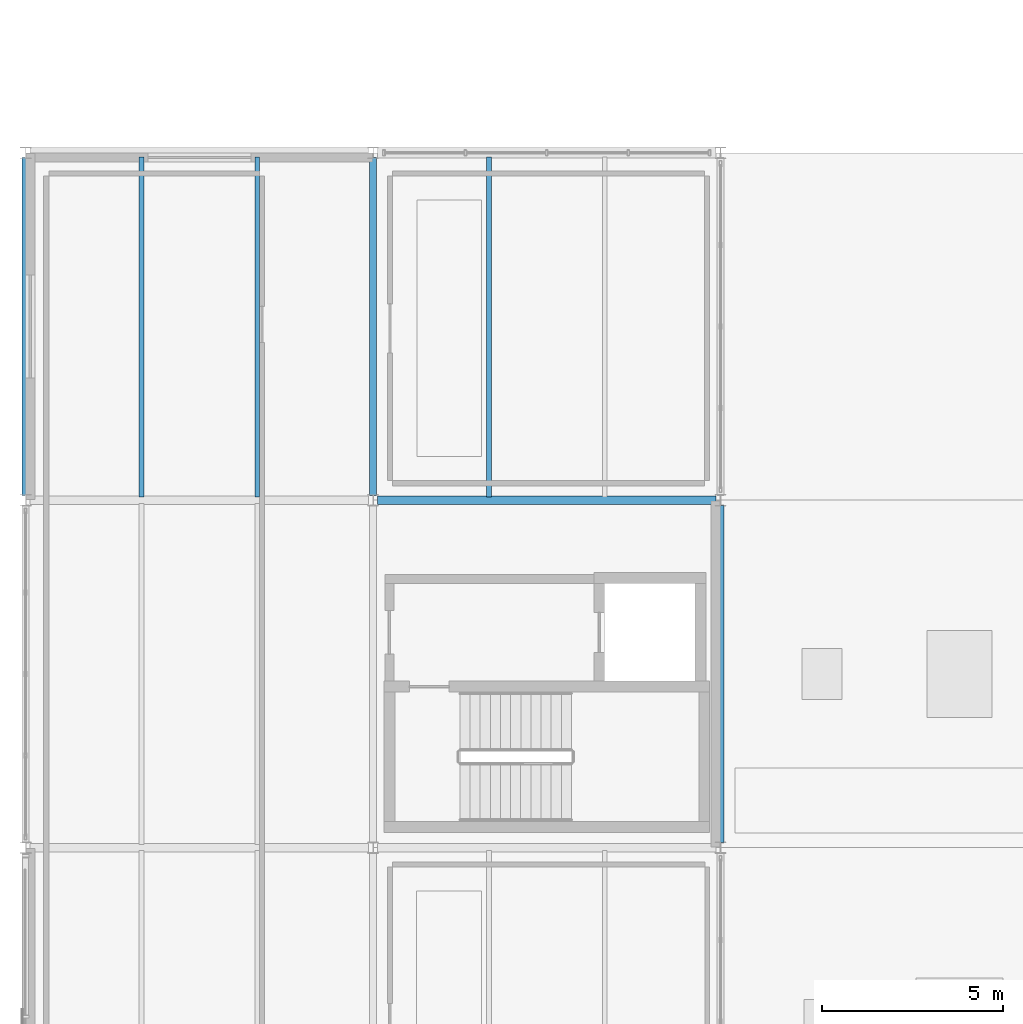
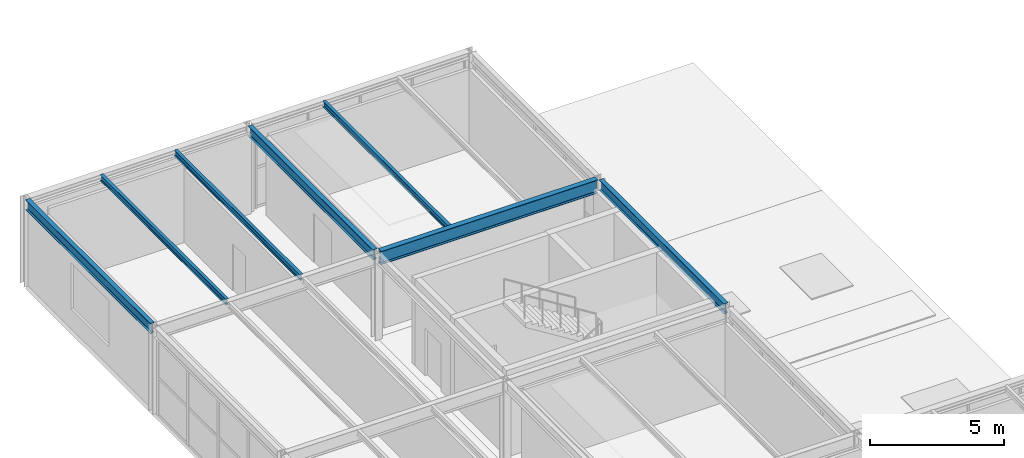
# One storey, part 29 of 50: 7 beams.
"""IFC4 building model written with IfcOpenShell, lengths in metres."""

from ifc_helpers import new_model, si_unit, direction, frame, origin, origin_2d, place, context, subcontext, project, spatial, i_section, extrude, material, material_profile, profile_set, type_object, element, save


model = new_model("IFC4")

# Units and contexts
model_context = context("Model", 3, precision=1e-05, world=origin(), true_north=direction((0.0, 1.0)))
body_context = subcontext(model_context, "Body", "Model", "MODEL_VIEW")
ifc_project = project(units=[si_unit("LENGTHUNIT", "METRE"), si_unit("AREAUNIT", "SQUARE_METRE"), si_unit("VOLUMEUNIT", "CUBIC_METRE"), si_unit("PLANEANGLEUNIT", "RADIAN"), si_unit("MASSUNIT", "GRAM", prefix="KILO")], contexts=[model_context])

# Site, building, storey
site_placement = place(None, origin())
site = spatial("IfcSite", under=ifc_project, at=site_placement, CompositionType="ELEMENT")
building_placement = place(site_placement, origin())
building = spatial("IfcBuilding", under=site, at=building_placement, Name="Coralgate Yard Interchange", CompositionType="ELEMENT")
storey_placement = place(building_placement, frame((0.0, 0.0, 14.699951171875)))
storey = spatial("IfcBuildingStorey", under=building, at=storey_placement, Name="L03", CompositionType="ELEMENT", Elevation=14.699951171875)

# Beams
ifc_material = material(Name="Structural steel S355J2", Category="steel")
ifc_material_profile_1 = material_profile(ifc_material, i_section(OverallWidth=0.1904296875, OverallDepth=0.45703125, WebThickness=0.009033203125, FlangeThickness=0.014404296875, FilletRadius=0.01025390625, at=origin_2d()), Name="UB 457x191x74")
ifc_profile_set_1 = profile_set([ifc_material_profile_1], Name="Structural steel S355J2")
beam_type_1 = type_object("IfcBeamType", Name="BM-SB-2", PredefinedType="BEAM", material=ifc_profile_set_1)
for number, where, z_axis, x_axis, name in (
    (1, (0.0, 38.533447265625, 3.721435546875), (0.0, 1.0, 0.0), (-1.0, 0.0, 0.0), "L03 primary grid girder X0 Y4-5"),
    (2, (9.60009765625, 38.533447265625, 3.721435546875), (0.0, 1.0, 0.0), (-1.0, 0.0, 0.0), "L03 primary grid girder X1 Y4-5"),
):
    element("IfcBeam", number, at=place(storey_placement, frame(where, z_axis=z_axis, x_axis=x_axis)), inside=storey, type_object=beam_type_1, Name=name, PredefinedType="BEAM", context=body_context, shape_type="SweptSolid", body=[
        extrude(i_section(OverallWidth=0.1904296875, OverallDepth=0.45703125, WebThickness=0.009033203125, FlangeThickness=0.014404296875, FilletRadius=0.01025390625, at=origin_2d()), origin(), (0.0, 0.0, 1.0), 9.3330078125),
    ])
beam_1_placement = place(storey_placement, frame((19.199951171875, 28.93359375, 3.721435546875), z_axis=(0.0, 1.0, 0.0), x_axis=(-1.0, 0.0, 0.0)))
element("IfcBeam", 3, at=beam_1_placement, inside=storey, type_object=beam_type_1, Name="L03 primary grid girder X2 Y3-4", PredefinedType="BEAM", context=body_context, shape_type="SweptSolid", body=[
    extrude(i_section(OverallWidth=0.1904296875, OverallDepth=0.45703125, WebThickness=0.009033203125, FlangeThickness=0.014404296875, FilletRadius=0.01025390625, at=origin_2d()), origin(), (0.0, 0.0, 1.0), 9.332763671875),
])
ifc_material_profile_2 = material_profile(ifc_material, i_section(OverallWidth=0.228271484375, OverallDepth=0.607666015625, WebThickness=0.010986328125, FlangeThickness=0.017333984375, FilletRadius=0.0126953125, at=origin_2d()), Name="UB 610x229x113")
ifc_profile_set_2 = profile_set([ifc_material_profile_2], Name="Structural steel S355J2")
beam_type_2 = type_object("IfcBeamType", Name="BM-SG-5", PredefinedType="BEAM", material=ifc_profile_set_2)
beam_2_placement = place(storey_placement, frame((9.7255859375, 38.39990234375, 3.646240234375), z_axis=(1.0, 0.0, 0.0), x_axis=(0.0, 1.0, 0.0)))
element("IfcBeam", 4, at=beam_2_placement, inside=storey, type_object=beam_type_2, Name="L03 primary grid beam Y4 X1-2", PredefinedType="BEAM", context=body_context, shape_type="SweptSolid", body=[
    extrude(i_section(OverallWidth=0.228271484375, OverallDepth=0.607666015625, WebThickness=0.010986328125, FlangeThickness=0.017333984375, FilletRadius=0.0126953125, at=origin_2d()), origin(), (0.0, 0.0, 1.0), 9.348876953125),
])
ifc_material_profile_3 = material_profile(ifc_material, i_section(OverallWidth=0.135009765625, OverallDepth=0.27001953125, WebThickness=0.006591796875, FlangeThickness=0.01025390625, FilletRadius=0.014892578125, at=origin_2d()), Name="IPE 270")
ifc_profile_set_3 = profile_set([ifc_material_profile_3], Name="Structural steel S355J2")
beam_type_3 = type_object("IfcBeamType", Name="BM-SJ-3", PredefinedType="JOIST", material=ifc_profile_set_3)
for number, where, z_axis, x_axis, name in (
    (5, (3.199951171875, 38.484130859375, 3.81494140625), (0.0, 1.0, 0.0), (-1.0, 0.0, 0.0), "L03 composite floor joist 0-4-1"),
    (6, (6.39990234375, 38.484130859375, 3.81494140625), (0.0, 1.0, 0.0), (-1.0, 0.0, 0.0), "L03 composite floor joist 0-4-2"),
    (7, (12.800048828125, 38.484130859375, 3.81494140625), (0.0, 1.0, 0.0), (-1.0, 0.0, 0.0), "L03 composite floor joist 1-4-1"),
):
    element("IfcBeam", number, at=place(storey_placement, frame(where, z_axis=z_axis, x_axis=x_axis)), inside=storey, type_object=beam_type_3, Name=name, PredefinedType="JOIST", context=body_context, shape_type="SweptSolid", body=[
        extrude(i_section(OverallWidth=0.135009765625, OverallDepth=0.27001953125, WebThickness=0.006591796875, FlangeThickness=0.01025390625, FilletRadius=0.014892578125, at=origin_2d()), origin(), (0.0, 0.0, 1.0), 9.395751953125),
    ])

save(model, "model.ifc")
